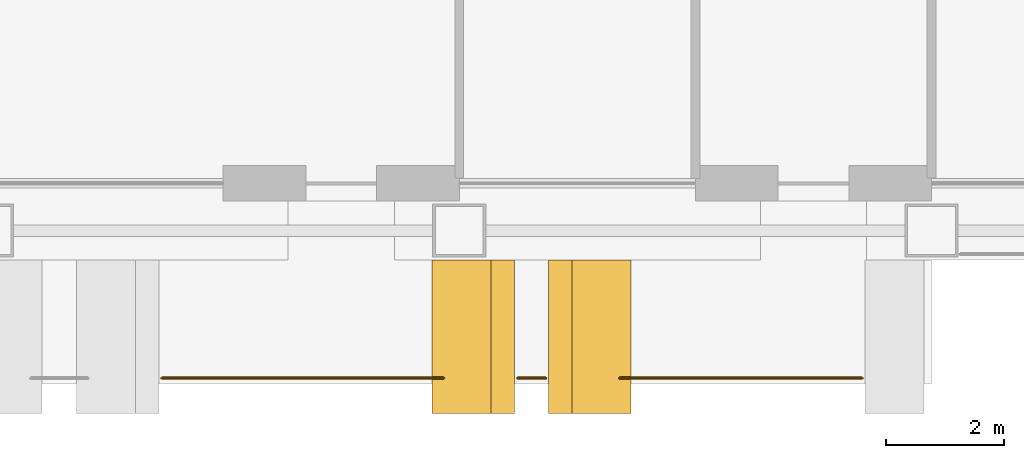
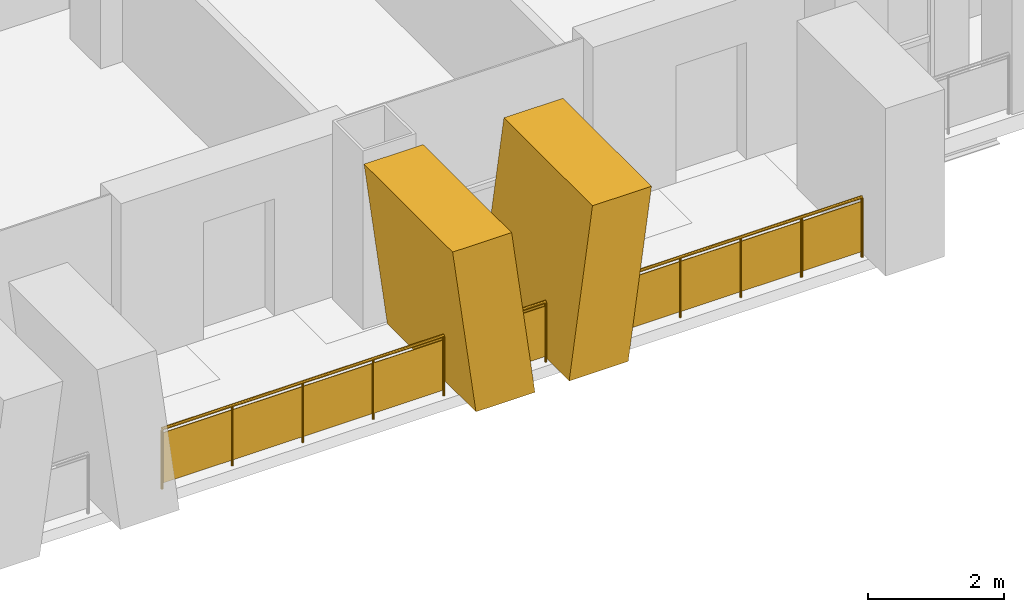
# One storey, part 16 of 19: 3 railings, 2 shading devices.
"""IFC4 building model written with IfcOpenShell, lengths in metres."""

from ifc_helpers import new_model, si_unit, direction, frame, origin, origin_2d, place, context, subcontext, project, spatial, polyline, rectangle, circle, outline, extrude, material, layer, layer_set, type_object, element, save


model = new_model("IFC4")

# Units and contexts
model_context = context("Model", 3, precision=1e-05, world=origin(), true_north=direction((0.0, 1.0)))
body_context = subcontext(model_context, "Body", "Model", "MODEL_VIEW")
ifc_project = project(units=[si_unit("LENGTHUNIT", "METRE"), si_unit("AREAUNIT", "SQUARE_METRE"), si_unit("VOLUMEUNIT", "CUBIC_METRE"), si_unit("PLANEANGLEUNIT", "RADIAN"), si_unit("MASSUNIT", "GRAM", prefix="KILO")], contexts=[model_context])

# Site, building, storey
site_placement = place(None, origin())
site = spatial("IfcSite", under=ifc_project, at=site_placement, CompositionType="ELEMENT")
building_placement = place(site_placement, origin())
building = spatial("IfcBuilding", under=site, at=building_placement, Name="Vidyagriha Tower", CompositionType="ELEMENT")
storey_placement = place(building_placement, frame((0.0, 0.0, 99.89990234375)))
storey = spatial("IfcBuildingStorey", under=building, at=storey_placement, Name="L26", CompositionType="ELEMENT", Elevation=99.89990234375)

# Railings
ifc_material_1 = material(Name="Steel ASTM A500 Grade C black painted", Category="steel")
railing_type = type_object("IfcRailingType", Name="Balcony guard 1100", PredefinedType="BALUSTRADE", material=ifc_material_1)
railing_1_placement = place(storey_placement, frame((20.9599609375, -19.60009765625, 0.0)))
element("IfcRailing", 1, at=railing_1_placement, inside=storey, type_object=railing_type, Name="Balcony guard L26 R23.1-12", PredefinedType="BALUSTRADE", context=body_context, shape_type="SweptSolid", body=[
    extrude(circle(Radius=0.02490234375, at=origin_2d()), frame((0.0, 0.0, 1.0751953125), z_axis=(1.0, 0.0, 0.0), x_axis=(0.0, 1.0, 0.0)), (0.0, 0.0, 1.0), 4.773681640625),
    extrude(circle(Radius=0.02001953125, at=origin_2d()), origin(), (0.0, 0.0, 1.0), 1.050048828125),
    extrude(circle(Radius=0.02001953125, at=origin_2d()), frame((1.193359375, 0.0, 0.0)), (0.0, 0.0, 1.0), 1.050048828125),
    extrude(circle(Radius=0.02001953125, at=origin_2d()), frame((2.38671875, 0.0, 0.0)), (0.0, 0.0, 1.0), 1.050048828125),
    extrude(circle(Radius=0.02001953125, at=origin_2d()), frame((3.580322265625, 0.0, 0.0)), (0.0, 0.0, 1.0), 1.050048828125),
    extrude(circle(Radius=0.02001953125, at=origin_2d()), frame((4.773681640625, 0.0, 0.0)), (0.0, 0.0, 1.0), 1.050048828125),
    extrude(rectangle(XDim=0.010009765625, YDim=0.900146484375, at=origin_2d()), frame((0.0, 0.0, 0.550048828125), z_axis=(1.0, 0.0, 0.0), x_axis=(0.0, 1.0, 0.0)), (0.0, 0.0, 1.0), 4.773681640625),
])
railing_2_placement = place(storey_placement, frame((26.985107421875, -19.60009765625, 0.0)))
element("IfcRailing", 2, at=railing_2_placement, inside=storey, type_object=railing_type, Name="Balcony guard L26 R23.1-13", PredefinedType="BALUSTRADE", context=body_context, shape_type="SweptSolid", body=[
    extrude(circle(Radius=0.02490234375, at=origin_2d()), frame((0.0, 0.0, 1.0751953125), z_axis=(1.0, 0.0, 0.0), x_axis=(0.0, 1.0, 0.0)), (0.0, 0.0, 1.0), 0.47998046875),
    extrude(circle(Radius=0.02001953125, at=origin_2d()), origin(), (0.0, 0.0, 1.0), 1.050048828125),
    extrude(circle(Radius=0.02001953125, at=origin_2d()), frame((0.47998046875, 0.0, 0.0)), (0.0, 0.0, 1.0), 1.050048828125),
    extrude(rectangle(XDim=0.010009765625, YDim=0.900146484375, at=origin_2d()), frame((0.0, 0.0, 0.550048828125), z_axis=(1.0, 0.0, 0.0), x_axis=(0.0, 1.0, 0.0)), (0.0, 0.0, 1.0), 0.47998046875),
])
railing_3_placement = place(storey_placement, frame((28.71630859375, -19.60009765625, 0.0)))
element("IfcRailing", 3, at=railing_3_placement, inside=storey, type_object=railing_type, Name="Balcony guard L26 R23.1-14", PredefinedType="BALUSTRADE", context=body_context, shape_type="SweptSolid", body=[
    extrude(circle(Radius=0.02490234375, at=origin_2d()), frame((0.0, 0.0, 1.0751953125), z_axis=(1.0, 0.0, 0.0), x_axis=(0.0, 1.0, 0.0)), (0.0, 0.0, 1.0), 4.108642578125),
    extrude(circle(Radius=0.02001953125, at=origin_2d()), origin(), (0.0, 0.0, 1.0), 1.050048828125),
    extrude(circle(Radius=0.02001953125, at=origin_2d()), frame((1.027099609375, 0.0, 0.0)), (0.0, 0.0, 1.0), 1.050048828125),
    extrude(circle(Radius=0.02001953125, at=origin_2d()), frame((2.05419921875, 0.0, 0.0)), (0.0, 0.0, 1.0), 1.050048828125),
    extrude(circle(Radius=0.02001953125, at=origin_2d()), frame((3.08154296875, 0.0, 0.0)), (0.0, 0.0, 1.0), 1.050048828125),
    extrude(circle(Radius=0.02001953125, at=origin_2d()), frame((4.108642578125, 0.0, 0.0)), (0.0, 0.0, 1.0), 1.050048828125),
    extrude(rectangle(XDim=0.010009765625, YDim=0.900146484375, at=origin_2d()), frame((0.0, 0.0, 0.550048828125), z_axis=(1.0, 0.0, 0.0), x_axis=(0.0, 1.0, 0.0)), (0.0, 0.0, 1.0), 4.108642578125),
])

# Shading devices
ifc_material_2 = material(Name="Precast concrete C40/50 with buff brick facing", Category="concrete")
ifc_layer = layer(ifc_material_2, 1.0)
ifc_layer_set = layer_set([ifc_layer], Name="Precast concrete C40/50 with buff brick facing")
shading_device_type = type_object("IfcShadingDeviceType", Name="Brick-faced blade fin arm leaning 8 degrees", PredefinedType="USERDEFINED", material=ifc_layer_set)
shading_device_1_placement = place(storey_placement, frame((27.514892578125, -18.89990234375, 0.0)))
element("IfcShadingDevice", 4, at=shading_device_1_placement, inside=storey, type_object=shading_device_type, Name="Leaning blade fin L26 R23.4990a", ObjectType="BLADE FIN", PredefinedType="USERDEFINED", context=body_context, shape_type="SweptSolid", body=[
    extrude(outline(polyline([(0.0, 0.0), (1.0, 0.0), (1.39501953125, 3.0), (0.39501953125, 3.0), (0.0, 0.0)])), frame((0.0, 1.300048828125, 0.0), z_axis=(0.0, -1.0, 0.0), x_axis=(1.0, 0.0, 0.0)), (0.0, 0.0, 1.0), 2.60009765625),
])
shading_device_2_placement = place(storey_placement, frame((25.5400390625, -18.89990234375, 0.0)))
element("IfcShadingDevice", 5, at=shading_device_2_placement, inside=storey, type_object=shading_device_type, Name="Leaning blade fin L26 R23.4990b", ObjectType="BLADE FIN", PredefinedType="USERDEFINED", context=body_context, shape_type="SweptSolid", body=[
    extrude(outline(polyline([(0.39501953125, 0.0), (1.39501953125, 0.0), (1.0, 3.0), (0.0, 3.0), (0.39501953125, 0.0)])), frame((0.0, 1.300048828125, 0.0), z_axis=(0.0, -1.0, 0.0), x_axis=(1.0, 0.0, 0.0)), (0.0, 0.0, 1.0), 2.60009765625),
])

save(model, "model.ifc")
